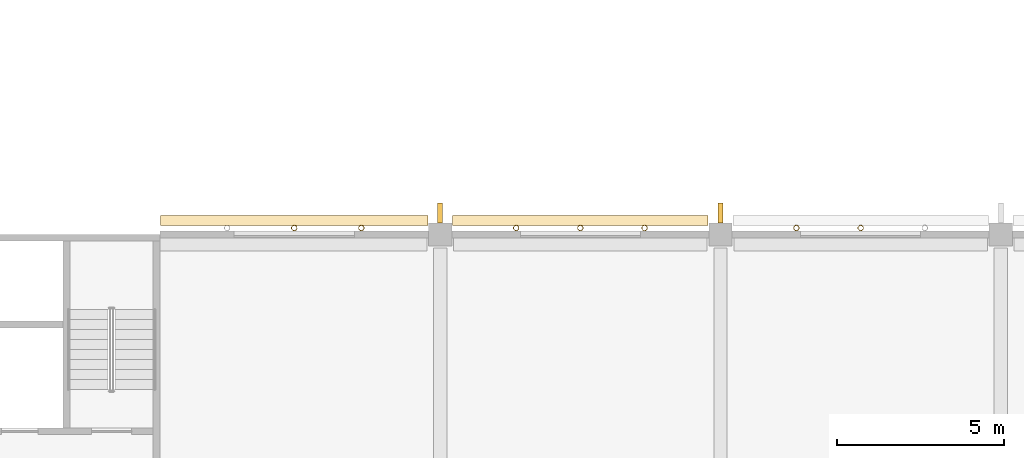
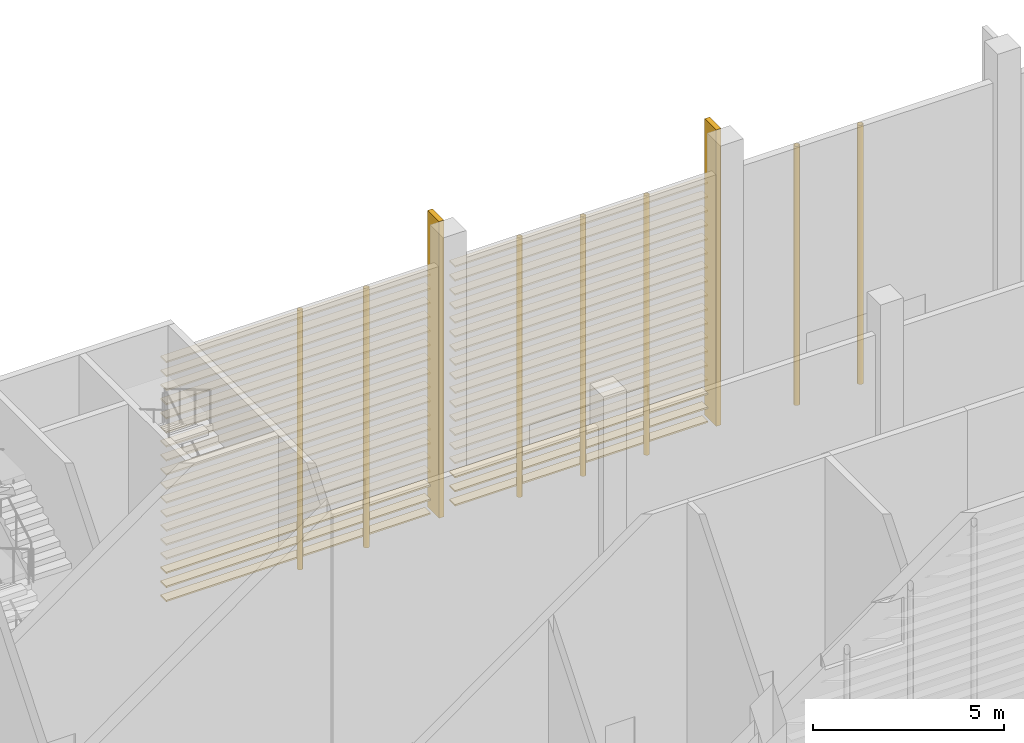
# One storey, part 85 of 114: 36 coverings, 9 shading devices.
"""IFC4 building model written with IfcOpenShell, lengths in metres."""

from ifc_helpers import new_model, si_unit, direction, frame, origin, origin_2d, place, context, subcontext, project, spatial, rectangle, hollow_circle, extrude, material, material_profile, profile_set, type_object, element, save


model = new_model("IFC4")

# Units and contexts
model_context = context("Model", 3, precision=1e-05, world=origin(), true_north=direction((0.0, 1.0)))
body_context = subcontext(model_context, "Body", "Model", "MODEL_VIEW")
ifc_project = project(units=[si_unit("LENGTHUNIT", "METRE"), si_unit("AREAUNIT", "SQUARE_METRE"), si_unit("VOLUMEUNIT", "CUBIC_METRE"), si_unit("PLANEANGLEUNIT", "RADIAN"), si_unit("MASSUNIT", "GRAM", prefix="KILO")], contexts=[model_context])

# Site, building, storey
site_placement = place(None, origin())
site = spatial("IfcSite", under=ifc_project, at=site_placement, CompositionType="ELEMENT")
building_placement = place(site_placement, origin())
building = spatial("IfcBuilding", under=site, at=building_placement, Name="Almond Square Museum", CompositionType="ELEMENT")
storey_placement = place(building_placement, frame((0.0, 0.0, 10.5)))
storey = spatial("IfcBuildingStorey", under=building, at=storey_placement, Name="L02", CompositionType="ELEMENT", Elevation=10.5)

# Shading devices
ifc_material_1 = material(Name="Structural steel S355", Category="steel")
ifc_material_profile_1 = material_profile(ifc_material_1, hollow_circle(Radius=0.084228515625, WallThickness=0.008056640625, at=origin_2d()))
ifc_profile_set_1 = profile_set([ifc_material_profile_1], Name="Structural steel S355")
shading_device_type_1 = type_object("IfcShadingDeviceType", Name="Louvre post CHS 168.3 x 8", PredefinedType="USERDEFINED", material=ifc_profile_set_1)
for number, where, z_axis, x_axis, name in (
    (1, (83.875, 16.994140625, 0.0), (0.0, 0.0, 1.0), (1.0, 0.0, 0.0), "Louvre screen post"),
    (2, (85.800048828125, 16.994140625, 0.0), (0.0, 0.0, 1.0), (1.0, 0.0, 0.0), "Louvre screen post"),
    (3, (75.47509765625, 16.994140625, 0.0), (0.0, 0.0, 1.0), (1.0, 0.0, 0.0), "Louvre screen post"),
    (4, (77.39990234375, 16.994140625, 0.0), (0.0, 0.0, 1.0), (1.0, 0.0, 0.0), "Louvre screen post"),
    (5, (79.324951171875, 16.994140625, 0.0), (0.0, 0.0, 1.0), (1.0, 0.0, 0.0), "Louvre screen post"),
    (6, (68.824951171875, 16.994140625, 0.0), (0.0, 0.0, 1.0), (1.0, 0.0, 0.0), "Louvre screen post"),
    (7, (70.83740234375, 16.994140625, 0.0), (0.0, 0.0, 1.0), (1.0, 0.0, 0.0), "Louvre screen post"),
):
    element("IfcShadingDevice", number, at=place(storey_placement, frame(where, z_axis=z_axis, x_axis=x_axis)), inside=storey, type_object=shading_device_type_1, Name=name, ObjectType="POST", PredefinedType="USERDEFINED", context=body_context, shape_type="SweptSolid", body=[
        extrude(hollow_circle(Radius=0.084228515625, WallThickness=0.008056640625, at=origin_2d()), origin(), (0.0, 0.0, 1.0), 8.300048828125),
    ])

# Coverings
ifc_material_2 = material(Name="Cedar timber louvre board", Category="wood")
ifc_material_profile_2 = material_profile(ifc_material_2, rectangle(XDim=0.300048828125, YDim=0.050048828125, at=origin_2d()))
ifc_profile_set_2 = profile_set([ifc_material_profile_2], Name="Cedar timber louvre board")
covering_type = type_object("IfcCoveringType", Name="Louvre screen board 300 x 50", PredefinedType="CLADDING", material=ifc_profile_set_2)
for number, where, z_axis, x_axis, name in (
    (8, (73.570068359375, 17.224365234375, 0.300048828125), (1.0, 0.0, 0.0), (0.0, 1.0, 0.0), "Louvre screen board"),
    (9, (73.570068359375, 17.224365234375, 0.75), (1.0, 0.0, 0.0), (0.0, 1.0, 0.0), "Louvre screen board"),
    (10, (73.570068359375, 17.224365234375, 1.199951171875), (1.0, 0.0, 0.0), (0.0, 1.0, 0.0), "Louvre screen board"),
    (11, (73.570068359375, 17.224365234375, 1.64990234375), (1.0, 0.0, 0.0), (0.0, 1.0, 0.0), "Louvre screen board"),
    (12, (73.570068359375, 17.224365234375, 2.10009765625), (1.0, 0.0, 0.0), (0.0, 1.0, 0.0), "Louvre screen board"),
    (13, (73.570068359375, 17.224365234375, 2.550048828125), (1.0, 0.0, 0.0), (0.0, 1.0, 0.0), "Louvre screen board"),
    (14, (73.570068359375, 17.224365234375, 3.0), (1.0, 0.0, 0.0), (0.0, 1.0, 0.0), "Louvre screen board"),
    (15, (73.570068359375, 17.224365234375, 3.449951171875), (1.0, 0.0, 0.0), (0.0, 1.0, 0.0), "Louvre screen board"),
    (16, (73.570068359375, 17.224365234375, 3.89990234375), (1.0, 0.0, 0.0), (0.0, 1.0, 0.0), "Louvre screen board"),
    (17, (73.570068359375, 17.224365234375, 4.35009765625), (1.0, 0.0, 0.0), (0.0, 1.0, 0.0), "Louvre screen board"),
    (18, (73.570068359375, 17.224365234375, 4.800048828125), (1.0, 0.0, 0.0), (0.0, 1.0, 0.0), "Louvre screen board"),
    (19, (73.570068359375, 17.224365234375, 5.25), (1.0, 0.0, 0.0), (0.0, 1.0, 0.0), "Louvre screen board"),
    (20, (73.570068359375, 17.224365234375, 5.699951171875), (1.0, 0.0, 0.0), (0.0, 1.0, 0.0), "Louvre screen board"),
    (21, (73.570068359375, 17.224365234375, 6.14990234375), (1.0, 0.0, 0.0), (0.0, 1.0, 0.0), "Louvre screen board"),
    (22, (73.570068359375, 17.224365234375, 6.60009765625), (1.0, 0.0, 0.0), (0.0, 1.0, 0.0), "Louvre screen board"),
    (23, (73.570068359375, 17.224365234375, 7.050048828125), (1.0, 0.0, 0.0), (0.0, 1.0, 0.0), "Louvre screen board"),
    (24, (73.570068359375, 17.224365234375, 7.5), (1.0, 0.0, 0.0), (0.0, 1.0, 0.0), "Louvre screen board"),
    (25, (73.570068359375, 17.224365234375, 7.949951171875), (1.0, 0.0, 0.0), (0.0, 1.0, 0.0), "Louvre screen board"),
):
    element("IfcCovering", number, at=place(storey_placement, frame(where, z_axis=z_axis, x_axis=x_axis)), inside=storey, type_object=covering_type, Name=name, PredefinedType="CLADDING", context=body_context, shape_type="SweptSolid", body=[
        extrude(rectangle(XDim=0.300048828125, YDim=0.050048828125, at=origin_2d()), origin(), (0.0, 0.0, 1.0), 7.659912109375),
    ])
for number, where, z_axis, x_axis, name in (
    (26, (64.820068359375, 17.224365234375, 0.300048828125), (1.0, 0.0, 0.0), (0.0, 1.0, 0.0), "Louvre screen board"),
    (27, (64.820068359375, 17.224365234375, 0.75), (1.0, 0.0, 0.0), (0.0, 1.0, 0.0), "Louvre screen board"),
    (28, (64.820068359375, 17.224365234375, 1.199951171875), (1.0, 0.0, 0.0), (0.0, 1.0, 0.0), "Louvre screen board"),
    (29, (64.820068359375, 17.224365234375, 1.64990234375), (1.0, 0.0, 0.0), (0.0, 1.0, 0.0), "Louvre screen board"),
    (30, (64.820068359375, 17.224365234375, 2.10009765625), (1.0, 0.0, 0.0), (0.0, 1.0, 0.0), "Louvre screen board"),
    (31, (64.820068359375, 17.224365234375, 2.550048828125), (1.0, 0.0, 0.0), (0.0, 1.0, 0.0), "Louvre screen board"),
    (32, (64.820068359375, 17.224365234375, 3.0), (1.0, 0.0, 0.0), (0.0, 1.0, 0.0), "Louvre screen board"),
    (33, (64.820068359375, 17.224365234375, 3.449951171875), (1.0, 0.0, 0.0), (0.0, 1.0, 0.0), "Louvre screen board"),
    (34, (64.820068359375, 17.224365234375, 3.89990234375), (1.0, 0.0, 0.0), (0.0, 1.0, 0.0), "Louvre screen board"),
    (35, (64.820068359375, 17.224365234375, 4.35009765625), (1.0, 0.0, 0.0), (0.0, 1.0, 0.0), "Louvre screen board"),
    (36, (64.820068359375, 17.224365234375, 4.800048828125), (1.0, 0.0, 0.0), (0.0, 1.0, 0.0), "Louvre screen board"),
    (37, (64.820068359375, 17.224365234375, 5.25), (1.0, 0.0, 0.0), (0.0, 1.0, 0.0), "Louvre screen board"),
    (38, (64.820068359375, 17.224365234375, 5.699951171875), (1.0, 0.0, 0.0), (0.0, 1.0, 0.0), "Louvre screen board"),
    (39, (64.820068359375, 17.224365234375, 6.14990234375), (1.0, 0.0, 0.0), (0.0, 1.0, 0.0), "Louvre screen board"),
    (40, (64.820068359375, 17.224365234375, 6.60009765625), (1.0, 0.0, 0.0), (0.0, 1.0, 0.0), "Louvre screen board"),
    (41, (64.820068359375, 17.224365234375, 7.050048828125), (1.0, 0.0, 0.0), (0.0, 1.0, 0.0), "Louvre screen board"),
    (42, (64.820068359375, 17.224365234375, 7.5), (1.0, 0.0, 0.0), (0.0, 1.0, 0.0), "Louvre screen board"),
    (43, (64.820068359375, 17.224365234375, 7.949951171875), (1.0, 0.0, 0.0), (0.0, 1.0, 0.0), "Louvre screen board"),
):
    element("IfcCovering", number, at=place(storey_placement, frame(where, z_axis=z_axis, x_axis=x_axis)), inside=storey, type_object=covering_type, Name=name, PredefinedType="CLADDING", context=body_context, shape_type="SweptSolid", body=[
        extrude(rectangle(XDim=0.300048828125, YDim=0.050048828125, at=origin_2d()), origin(), (0.0, 0.0, 1.0), 8.010009765625),
    ])

# Shading devices
ifc_material_3 = material(Name="Cedar timber fin", Category="wood")
shading_device_type_2 = type_object("IfcShadingDeviceType", Name="Timber storm fin 150 x 600", PredefinedType="USERDEFINED", material=ifc_material_3)
for number, where, z_axis, x_axis, name in (
    (44, (73.199951171875, 17.449951171875, 0.0), (0.0, 0.0, 1.0), (1.0, 0.0, 0.0), "Timber storm fin"),
    (45, (81.60009765625, 17.449951171875, 0.0), (0.0, 0.0, 1.0), (1.0, 0.0, 0.0), "Timber storm fin"),
):
    element("IfcShadingDevice", number, at=place(storey_placement, frame(where, z_axis=z_axis, x_axis=x_axis)), inside=storey, type_object=shading_device_type_2, Name=name, ObjectType="FIN", PredefinedType="USERDEFINED", context=body_context, shape_type="SweptSolid", body=[
        extrude(rectangle(XDim=0.14990234375, YDim=0.60009765625, at=origin_2d()), origin(), (0.0, 0.0, 1.0), 9.5),
    ])

save(model, "model.ifc")
